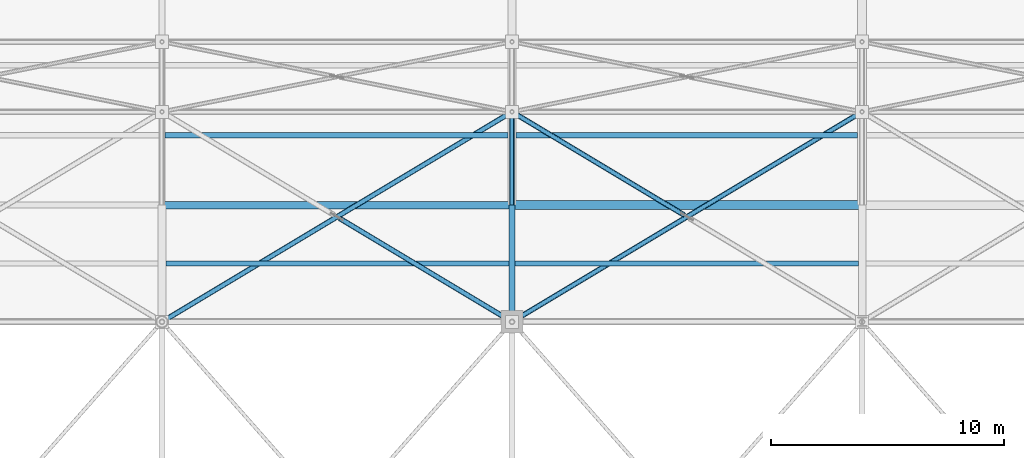
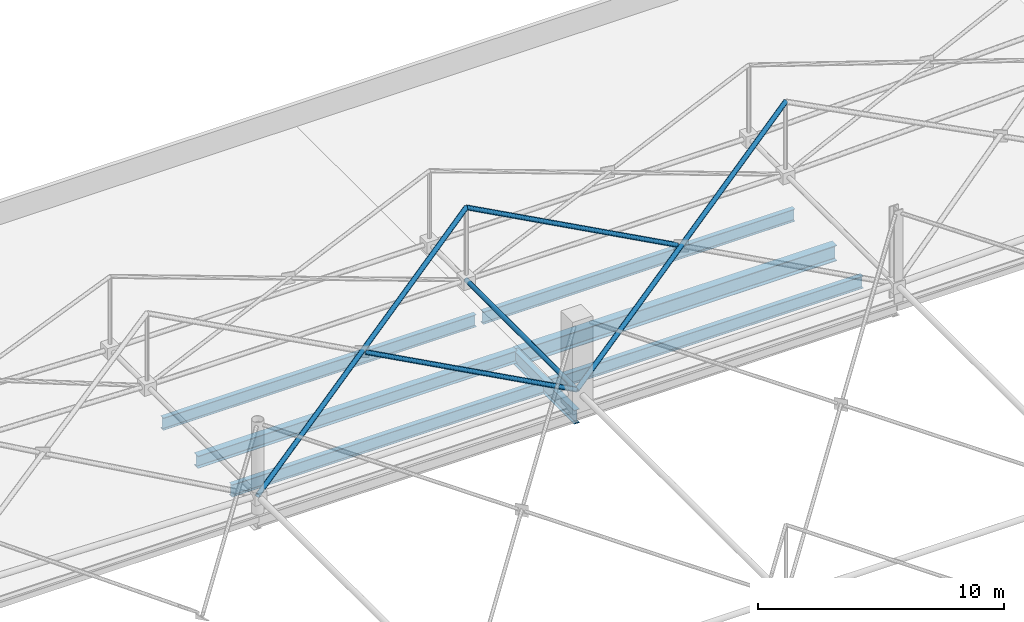
# One storey, part 112 of 224: 7 beams, 5 members.
"""IFC4 building model written with IfcOpenShell, lengths in metres."""

from ifc_helpers import new_model, si_unit, direction, frame, origin, origin_2d, place, context, subcontext, project, spatial, hollow_circle, i_section, extrude, material, material_profile, profile_set, type_object, element, save


model = new_model("IFC4")

# Units and contexts
model_context = context("Model", 3, precision=1e-05, world=origin(), true_north=direction((0.0, 1.0)))
body_context = subcontext(model_context, "Body", "Model", "MODEL_VIEW")
ifc_project = project(units=[si_unit("LENGTHUNIT", "METRE"), si_unit("AREAUNIT", "SQUARE_METRE"), si_unit("VOLUMEUNIT", "CUBIC_METRE"), si_unit("PLANEANGLEUNIT", "RADIAN"), si_unit("MASSUNIT", "GRAM", prefix="KILO")], contexts=[model_context])

# Site, building, storey
site_placement = place(None, origin())
site = spatial("IfcSite", under=ifc_project, at=site_placement, CompositionType="ELEMENT")
building_placement = place(site_placement, origin())
building = spatial("IfcBuilding", under=site, at=building_placement, Name="Qamarlyn Nura Convention Centre", CompositionType="ELEMENT")
storey_placement = place(building_placement, frame((0.0, 0.0, 10.800048828125)))
storey = spatial("IfcBuildingStorey", under=building, at=storey_placement, Name="L02", CompositionType="ELEMENT", Elevation=10.800048828125)

# Beams
ifc_material_1 = material(Name="Steel ASTM A992", Category="steel")
ifc_material_profile_1 = material_profile(ifc_material_1, i_section(OverallWidth=0.323974609375, OverallDepth=0.611083984375, WebThickness=0.0126953125, FlangeThickness=0.01904296875, FilletRadius=0.01611328125, at=origin_2d()), Name="W610X155")
ifc_profile_set_1 = profile_set([ifc_material_profile_1], Name="Steel ASTM A992")
beam_type_1 = type_object("IfcBeamType", Name="BM-GIRD-610", PredefinedType="BEAM", material=ifc_profile_set_1)
beam_1_placement = place(storey_placement, frame((45.0, 108.0, -0.50048828125), z_axis=(1.0, 0.0, 0.0), x_axis=(0.0, 1.0, 0.0)))
element("IfcBeam", 1, at=beam_1_placement, inside=storey, type_object=beam_type_1, Name="L02 girder N 4-5", PredefinedType="BEAM", context=body_context, shape_type="SweptSolid", body=[
    extrude(i_section(OverallWidth=0.323974609375, OverallDepth=0.611083984375, WebThickness=0.0126953125, FlangeThickness=0.01904296875, FilletRadius=0.01611328125, at=origin_2d()), origin(), (0.0, 0.0, 1.0), 15.0),
])
ifc_material_profile_2 = material_profile(ifc_material_1, i_section(OverallWidth=0.25390625, OverallDepth=0.68408203125, WebThickness=0.012451171875, FlangeThickness=0.01904296875, FilletRadius=0.01806640625, at=origin_2d()), Name="W690X140")
ifc_profile_set_2 = profile_set([ifc_material_profile_2], Name="Steel ASTM A992")
beam_type_2 = type_object("IfcBeamType", Name="BM-GIRD-690B", PredefinedType="BEAM", material=ifc_profile_set_2)
beam_2_placement = place(storey_placement, frame((60.0, 103.0, -0.537109375), z_axis=(0.0, 1.0, 0.0), x_axis=(-1.0, 0.0, 0.0)))
element("IfcBeam", 2, at=beam_2_placement, inside=storey, type_object=beam_type_2, Name="L02 girder 5 M-N", PredefinedType="BEAM", context=body_context, shape_type="SweptSolid", body=[
    extrude(i_section(OverallWidth=0.25390625, OverallDepth=0.68408203125, WebThickness=0.012451171875, FlangeThickness=0.01904296875, FilletRadius=0.01806640625, at=origin_2d()), origin(), (0.0, 0.0, 1.0), 5.0),
])
ifc_material_profile_3 = material_profile(ifc_material_1, i_section(OverallWidth=0.381103515625, OverallDepth=0.77294921875, WebThickness=0.0166015625, FlangeThickness=0.027587890625, FilletRadius=0.02001953125, at=origin_2d()), Name="W760X257")
ifc_profile_set_3 = profile_set([ifc_material_profile_3], Name="Steel ASTM A992")
beam_type_3 = type_object("IfcBeamType", Name="BM-GIRD-760", PredefinedType="BEAM", material=ifc_profile_set_3)
beam_3_placement = place(storey_placement, frame((60.0, 108.0, -0.58154296875), z_axis=(1.0, 0.0, 0.0), x_axis=(0.0, 1.0, 0.0)))
element("IfcBeam", 3, at=beam_3_placement, inside=storey, type_object=beam_type_3, Name="L02 girder N 5-6", PredefinedType="BEAM", context=body_context, shape_type="SweptSolid", body=[
    extrude(i_section(OverallWidth=0.381103515625, OverallDepth=0.77294921875, WebThickness=0.0166015625, FlangeThickness=0.027587890625, FilletRadius=0.02001953125, at=origin_2d()), origin(), (0.0, 0.0, 1.0), 15.0),
])
ifc_material_profile_4 = material_profile(ifc_material_1, i_section(OverallWidth=0.22802734375, OverallDepth=0.60791015625, WebThickness=0.01123046875, FlangeThickness=0.017333984375, FilletRadius=0.01611328125, at=origin_2d()), Name="W610X113")
ifc_profile_set_4 = profile_set([ifc_material_profile_4], Name="Steel ASTM A992")
beam_type_4 = type_object("IfcBeamType", Name="BM-JOIST-610", PredefinedType="JOIST", material=ifc_profile_set_4)
beam_4_placement = place(storey_placement, frame((45.177490234375, 105.5, -0.4990234375), z_axis=(1.0, 0.0, 0.0), x_axis=(0.0, 1.0, 0.0)))
element("IfcBeam", 4, at=beam_4_placement, inside=storey, type_object=beam_type_4, Name="L02 composite joist 4-5/M+1", PredefinedType="JOIST", context=body_context, shape_type="SweptSolid", body=[
    extrude(i_section(OverallWidth=0.22802734375, OverallDepth=0.60791015625, WebThickness=0.01123046875, FlangeThickness=0.017333984375, FilletRadius=0.01611328125, at=origin_2d()), origin(), (0.0, 0.0, 1.0), 14.695556640625),
])
for number, where, z_axis, x_axis, name in (
    (5, (45.126953125, 111.0, -0.4990234375), (1.0, 0.0, 0.0), (0.0, 1.0, 0.0), "L02 composite joist 4-5/N+1"),
    (6, (60.126953125, 105.5, -0.4990234375), (1.0, 0.0, 0.0), (0.0, 1.0, 0.0), "L02 composite joist 5-6/M+1"),
):
    element("IfcBeam", number, at=place(storey_placement, frame(where, z_axis=z_axis, x_axis=x_axis)), inside=storey, type_object=beam_type_4, Name=name, PredefinedType="JOIST", context=body_context, shape_type="SweptSolid", body=[
        extrude(i_section(OverallWidth=0.22802734375, OverallDepth=0.60791015625, WebThickness=0.01123046875, FlangeThickness=0.017333984375, FilletRadius=0.01611328125, at=origin_2d()), origin(), (0.0, 0.0, 1.0), 14.7109375),
    ])
beam_5_placement = place(storey_placement, frame((60.162109375, 111.0, -0.4990234375), z_axis=(1.0, 0.0, 0.0), x_axis=(0.0, 1.0, 0.0)))
element("IfcBeam", 7, at=beam_5_placement, inside=storey, type_object=beam_type_4, Name="L02 composite joist 5-6/N+1", PredefinedType="JOIST", context=body_context, shape_type="SweptSolid", body=[
    extrude(i_section(OverallWidth=0.22802734375, OverallDepth=0.60791015625, WebThickness=0.01123046875, FlangeThickness=0.017333984375, FilletRadius=0.01611328125, at=origin_2d()), origin(), (0.0, 0.0, 1.0), 14.6474609375),
])

# Members
ifc_material_2 = material(Name="Pearl-white PVDF steel ASTM A500 Grade C", Category="steel")
ifc_material_profile_5 = material_profile(ifc_material_2, hollow_circle(Radius=0.109619140625, WallThickness=0.010009765625, at=origin_2d()), Name="CHS219.1X10")
ifc_profile_set_5 = profile_set([ifc_material_profile_5], Name="Pearl-white PVDF steel ASTM A500 Grade C")
member_type_1 = type_object("IfcMemberType", Name="SF-BC-EAVE", PredefinedType="CHORD", material=ifc_profile_set_5)
member_1_placement = place(storey_placement, frame((60.0, 103.0, 0.800048828125), z_axis=(0.0, 1.0, 0.0), x_axis=(-1.0, 0.0, 0.0)))
element("IfcMember", 8, at=member_1_placement, inside=storey, type_object=member_type_1, Name="ROOF TRUSS space frame bottom chord Y6-7", PredefinedType="CHORD", context=body_context, shape_type="SweptSolid", body=[
    extrude(hollow_circle(Radius=0.109619140625, WallThickness=0.010009765625, at=origin_2d()), origin(), (0.0, 0.0, 1.0), 9.0),
])
ifc_material_profile_6 = material_profile(ifc_material_2, hollow_circle(Radius=0.109619140625, WallThickness=0.010009765625, at=origin_2d()), Name="CHS219.1X10")
ifc_profile_set_6 = profile_set([ifc_material_profile_6], Name="Pearl-white PVDF steel ASTM A500 Grade C")
member_type_2 = type_object("IfcMemberType", Name="SF-WEB-HVY", PredefinedType="BRACE", material=ifc_profile_set_6)
member_2_placement = place(storey_placement, frame((45.0, 103.0, 0.800048828125), z_axis=(0.839892814441, 0.503935688665, 0.201566073388), x_axis=(-0.514495755428, 0.857492925713, 0.0)))
element("IfcMember", 9, at=member_2_placement, inside=storey, type_object=member_type_2, Name="ROOF TRUSS space frame diagonal A 5-7", PredefinedType="BRACE", context=body_context, shape_type="SweptSolid", body=[
    extrude(hollow_circle(Radius=0.109619140625, WallThickness=0.010009765625, at=origin_2d()), origin(), (0.0, 0.0, 1.0), 17.859375),
])
member_3_placement = place(storey_placement, frame((60.0, 103.0, 0.800048828125), z_axis=(-0.839889638897, 0.503939338531, 0.201570180219), x_axis=(-0.514499925721, -0.857490423522, 0.0)))
element("IfcMember", 10, at=member_3_placement, inside=storey, type_object=member_type_2, Name="ROOF TRUSS space frame split diagonal B1 5-7", PredefinedType="BRACE", context=body_context, shape_type="SweptSolid", body=[
    extrude(hollow_circle(Radius=0.109619140625, WallThickness=0.010009765625, at=origin_2d()), origin(), (0.0, 0.0, 1.0), 8.78955078125),
])
member_4_placement = place(storey_placement, frame((60.0, 103.0, 0.800048828125), z_axis=(0.839892814441, 0.503935688665, 0.201566073388), x_axis=(-0.514495755428, 0.857492925713, 0.0)))
element("IfcMember", 11, at=member_4_placement, inside=storey, type_object=member_type_2, Name="ROOF TRUSS space frame diagonal A 6-7", PredefinedType="BRACE", context=body_context, shape_type="SweptSolid", body=[
    extrude(hollow_circle(Radius=0.109619140625, WallThickness=0.010009765625, at=origin_2d()), origin(), (0.0, 0.0, 1.0), 17.859375),
])
member_5_placement = place(storey_placement, frame((67.38232421875, 107.570556640625, 2.628173828125), z_axis=(-0.839889638897, 0.503939338531, 0.201570180219), x_axis=(-0.514499925721, -0.857490423522, 0.0)))
element("IfcMember", 12, at=member_5_placement, inside=storey, type_object=member_type_2, Name="ROOF TRUSS space frame split diagonal B2 6-7", PredefinedType="BRACE", context=body_context, shape_type="SweptSolid", body=[
    extrude(hollow_circle(Radius=0.109619140625, WallThickness=0.010009765625, at=origin_2d()), origin(), (0.0, 0.0, 1.0), 8.78955078125),
])

save(model, "model.ifc")
